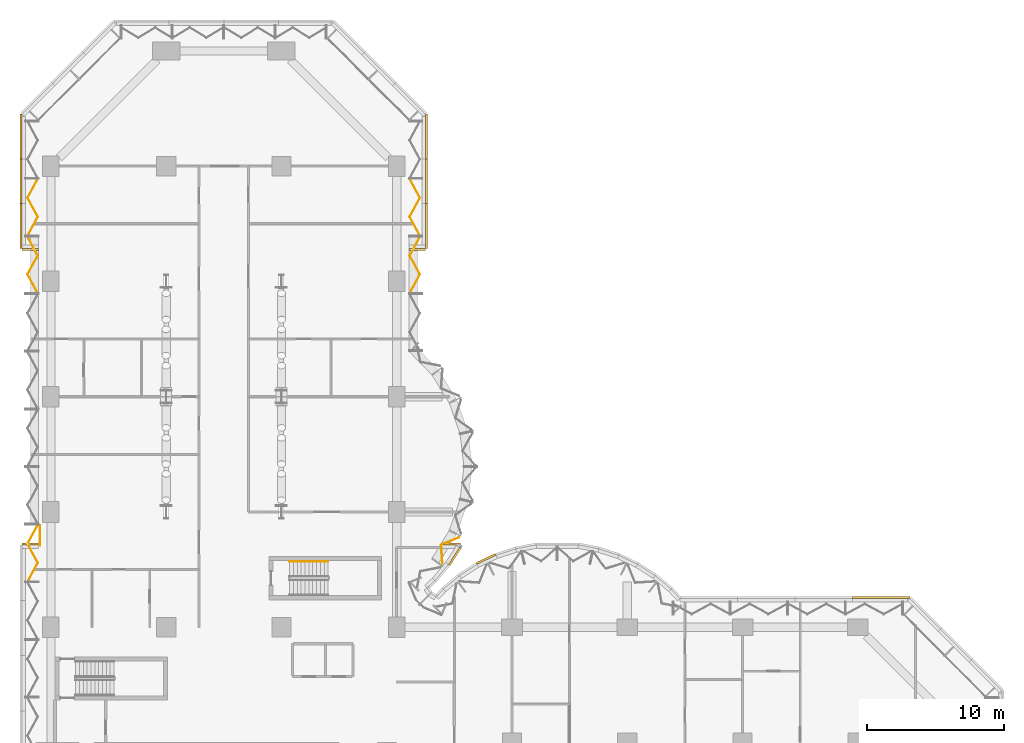
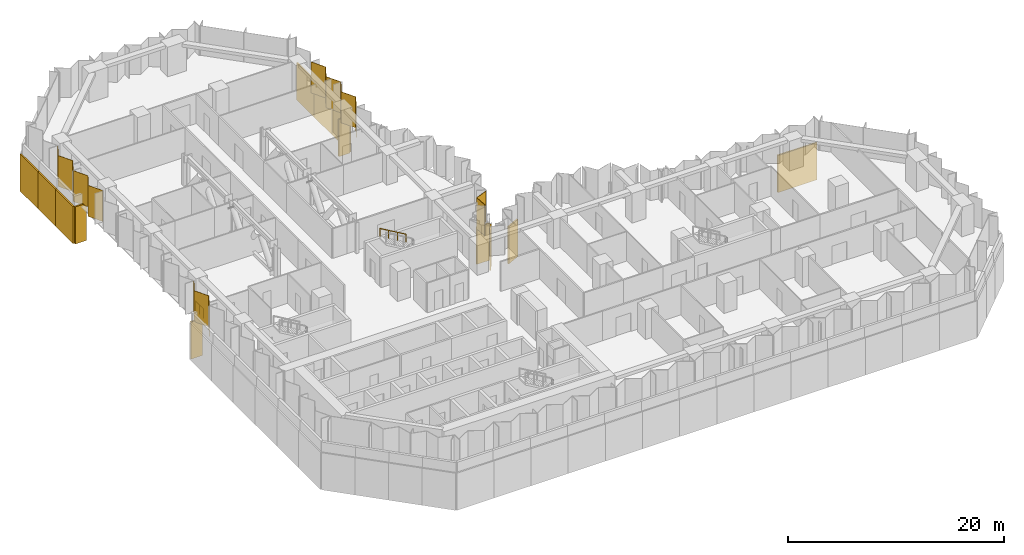
# One storey, part 22 of 24: 19 coverings, 2 railings, 3 elements without a shape of their own.
"""IFC4 building model written with IfcOpenShell, lengths in metres."""

from ifc_helpers import new_model, si_unit, direction, frame, origin, origin_2d, place, context, subcontext, project, spatial, polyline, circle, outline, extrude, material, layer, layer_set, type_object, element, aggregate, save


model = new_model("IFC4")

# Units and contexts
model_context = context("Model", 3, precision=1e-05, world=origin(), true_north=direction((0.0, 1.0)))
body_context = subcontext(model_context, "Body", "Model", "MODEL_VIEW")
ifc_project = project(units=[si_unit("LENGTHUNIT", "METRE"), si_unit("AREAUNIT", "SQUARE_METRE"), si_unit("VOLUMEUNIT", "CUBIC_METRE"), si_unit("PLANEANGLEUNIT", "RADIAN"), si_unit("MASSUNIT", "GRAM", prefix="KILO")], contexts=[model_context])

# Site, building, storey
site_placement = place(None, origin())
site = spatial("IfcSite", under=ifc_project, at=site_placement, CompositionType="ELEMENT")
building_placement = place(site_placement, origin())
building = spatial("IfcBuilding", under=site, at=building_placement, Name="Brevane Broadcast Tower", CompositionType="ELEMENT")
storey_placement = place(building_placement, frame((0.0, 0.0, 36.5)))
storey = spatial("IfcBuildingStorey", under=building, at=storey_placement, Name="L06", CompositionType="ELEMENT", Elevation=36.5)

# Coverings
ifc_material_1 = material(Name="Precast concrete C40/50", Category="concrete")
ifc_layer_1 = layer(ifc_material_1, 0.14990234375)
ifc_layer_set_1 = layer_set([ifc_layer_1], Name="CORNICE FASCIA CLADDING 4200")
covering_type_1 = type_object("IfcCoveringType", Name="CORNICE FASCIA CLADDING 4200", PredefinedType="CLADDING", material=ifc_layer_set_1)
covering_1_placement = place(storey_placement, frame((0.0, 0.0, -4.199951171875)))
element("IfcCovering", 1, at=covering_1_placement, inside=storey, type_object=covering_type_1, Name="Cornice fascia", PredefinedType="CLADDING", context=body_context, shape_type="SweptSolid", body=[
    extrude(outline(polyline([(-2.10009765625, 31.199951171875), (-0.89990234375, 31.199951171875), (-0.89990234375, 31.35009765625), (-2.10009765625, 31.35009765625), (-2.10009765625, 31.199951171875)])), origin(), (0.0, 0.0, 1.0), 4.199951171875),
])
covering_2_placement = place(storey_placement, frame((0.0, 0.0, -4.199951171875)))
element("IfcCovering", 2, at=covering_2_placement, inside=storey, type_object=covering_type_1, Name="Cornice fascia", PredefinedType="CLADDING", context=body_context, shape_type="SweptSolid", body=[
    extrude(outline(polyline([(28.45263671875, 31.199951171875), (29.854736328125, 31.199951171875), (29.854736328125, 31.35009765625), (28.45263671875, 31.35009765625), (28.45263671875, 31.199951171875)])), origin(), (0.0, 0.0, 1.0), 4.199951171875),
])
covering_3_placement = place(storey_placement, frame((0.0, 0.0, -4.199951171875)))
element("IfcCovering", 3, at=covering_3_placement, inside=storey, type_object=covering_type_1, Name="Cornice fascia", PredefinedType="CLADDING", context=body_context, shape_type="SweptSolid", body=[
    extrude(outline(polyline([(29.784912109375, 31.052978515625), (28.959716796875, 29.769775390625), (29.0859375, 29.688720703125), (29.910888671875, 30.9716796875), (29.784912109375, 31.052978515625)])), origin(), (0.0, 0.0, 1.0), 4.199951171875),
])
covering_4_placement = place(storey_placement, frame((0.0, 0.0, -4.199951171875)))
element("IfcCovering", 4, at=covering_4_placement, inside=storey, type_object=covering_type_1, Name="Cornice fascia", PredefinedType="CLADDING", context=body_context, shape_type="SweptSolid", body=[
    extrude(outline(polyline([(31.052978515625, 29.784912109375), (32.43017578125, 30.440673828125), (32.36572265625, 30.576171875), (30.98828125, 29.920166015625), (31.052978515625, 29.784912109375)])), origin(), (0.0, 0.0, 1.0), 4.199951171875),
])
covering_5_placement = place(storey_placement, frame((0.0, 0.0, -4.199951171875)))
element("IfcCovering", 5, at=covering_5_placement, inside=storey, type_object=covering_type_1, Name="Cornice fascia", PredefinedType="CLADDING", context=body_context, shape_type="SweptSolid", body=[
    extrude(outline(polyline([(58.404052734375, 27.300048828125), (62.59716796875, 27.300048828125), (62.59716796875, 27.449951171875), (58.404052734375, 27.449951171875), (58.404052734375, 27.300048828125)])), origin(), (0.0, 0.0, 1.0), 4.199951171875),
])
covering_6_placement = place(storey_placement, frame((0.0, 0.0, -4.199951171875)))
element("IfcCovering", 6, at=covering_6_placement, inside=storey, type_object=covering_type_1, Name="Cornice fascia", PredefinedType="CLADDING", context=body_context, shape_type="SweptSolid", body=[
    extrude(outline(polyline([(27.300048828125, 62.59716796875), (27.300048828125, 59.331298828125), (27.449951171875, 59.331298828125), (27.449951171875, 62.59716796875), (27.300048828125, 62.59716796875)])), origin(), (0.0, 0.0, 1.0), 4.199951171875),
])
covering_7_placement = place(storey_placement, frame((0.0, 0.0, -4.199951171875)))
element("IfcCovering", 7, at=covering_7_placement, inside=storey, type_object=covering_type_1, Name="Cornice fascia", PredefinedType="CLADDING", context=body_context, shape_type="SweptSolid", body=[
    extrude(outline(polyline([(27.300048828125, 59.331298828125), (27.300048828125, 56.065673828125), (27.449951171875, 56.065673828125), (27.449951171875, 59.331298828125), (27.300048828125, 59.331298828125)])), origin(), (0.0, 0.0, 1.0), 4.199951171875),
])
covering_8_placement = place(storey_placement, frame((0.0, 0.0, -4.199951171875)))
element("IfcCovering", 8, at=covering_8_placement, inside=storey, type_object=covering_type_1, Name="Cornice fascia", PredefinedType="CLADDING", context=body_context, shape_type="SweptSolid", body=[
    extrude(outline(polyline([(27.300048828125, 56.065673828125), (27.300048828125, 52.800048828125), (27.449951171875, 52.800048828125), (27.449951171875, 56.065673828125), (27.300048828125, 56.065673828125)])), origin(), (0.0, 0.0, 1.0), 4.199951171875),
])
covering_9_placement = place(storey_placement, frame((0.0, 0.0, -4.199951171875)))
element("IfcCovering", 9, at=covering_9_placement, inside=storey, type_object=covering_type_1, Name="Cornice fascia", PredefinedType="CLADDING", context=body_context, shape_type="SweptSolid", body=[
    extrude(outline(polyline([(27.300048828125, 52.800048828125), (26.10009765625, 52.800048828125), (26.10009765625, 52.64990234375), (27.300048828125, 52.64990234375), (27.300048828125, 52.800048828125)])), origin(), (0.0, 0.0, 1.0), 4.199951171875),
])
covering_10_placement = place(storey_placement, frame((0.0, 0.0, -4.199951171875)))
element("IfcCovering", 10, at=covering_10_placement, inside=storey, type_object=covering_type_1, Name="Cornice fascia", PredefinedType="CLADDING", context=body_context, shape_type="SweptSolid", body=[
    extrude(outline(polyline([(-0.89990234375, 52.800048828125), (-2.10009765625, 52.800048828125), (-2.10009765625, 52.64990234375), (-0.89990234375, 52.64990234375), (-0.89990234375, 52.800048828125)])), origin(), (0.0, 0.0, 1.0), 4.199951171875),
])
covering_11_placement = place(storey_placement, frame((0.0, 0.0, -4.199951171875)))
element("IfcCovering", 11, at=covering_11_placement, inside=storey, type_object=covering_type_1, Name="Cornice fascia", PredefinedType="CLADDING", context=body_context, shape_type="SweptSolid", body=[
    extrude(outline(polyline([(-2.10009765625, 52.800048828125), (-2.10009765625, 56.065673828125), (-2.25, 56.065673828125), (-2.25, 52.800048828125), (-2.10009765625, 52.800048828125)])), origin(), (0.0, 0.0, 1.0), 4.199951171875),
])
covering_12_placement = place(storey_placement, frame((0.0, 0.0, -4.199951171875)))
element("IfcCovering", 12, at=covering_12_placement, inside=storey, type_object=covering_type_1, Name="Cornice fascia", PredefinedType="CLADDING", context=body_context, shape_type="SweptSolid", body=[
    extrude(outline(polyline([(-2.10009765625, 56.065673828125), (-2.10009765625, 59.331298828125), (-2.25, 59.331298828125), (-2.25, 56.065673828125), (-2.10009765625, 56.065673828125)])), origin(), (0.0, 0.0, 1.0), 4.199951171875),
])
covering_13_placement = place(storey_placement, frame((0.0, 0.0, -4.199951171875)))
element("IfcCovering", 13, at=covering_13_placement, inside=storey, type_object=covering_type_1, Name="Cornice fascia", PredefinedType="CLADDING", context=body_context, shape_type="SweptSolid", body=[
    extrude(outline(polyline([(-2.10009765625, 59.331298828125), (-2.10009765625, 62.59716796875), (-2.25, 62.59716796875), (-2.25, 59.331298828125), (-2.10009765625, 59.331298828125)])), origin(), (0.0, 0.0, 1.0), 4.199951171875),
])

# Railing
ifc_material_2 = material(Name="Steel S355", Category="steel")
railing_type_1 = type_object("IfcRailingType", Name="Exit stair handrail", PredefinedType="HANDRAIL", material=ifc_material_2)
railing_1_placement = place(storey_placement, frame((20.199951171875, 30.0, 1.963623046875)))
element("IfcRailing", 14, at=railing_1_placement, inside=storey, type_object=railing_type_1, Name="L06 ST-3 stair handrail 2", PredefinedType="HANDRAIL", context=body_context, shape_type="SweptSolid", body=[
    extrude(circle(Radius=0.02392578125, at=origin_2d()), frame((0.0, 0.0, 0.8759765625), z_axis=(-0.863360870873, 0.0, 0.504586966384), x_axis=(0.0, -1.0, 0.0)), (0.0, 0.0, 1.0), 3.2431640625),
    extrude(circle(Radius=0.02099609375, at=origin_2d()), origin(), (0.0, 0.0, 1.0), 0.851806640625),
    extrude(circle(Radius=0.02099609375, at=origin_2d()), frame((-0.933349609375, 0.0, 0.54541015625)), (0.0, 0.0, 1.0), 0.851806640625),
    extrude(circle(Radius=0.02099609375, at=origin_2d()), frame((-1.86669921875, 0.0, 1.091064453125)), (0.0, 0.0, 1.0), 0.851806640625),
    extrude(circle(Radius=0.02099609375, at=origin_2d()), frame((-2.800048828125, 0.0, 1.636474609375)), (0.0, 0.0, 1.0), 0.851806640625),
])

# Curtain wall, covering
ifc_material_3 = material(Name="Aluminium 6063-T6 bronze anodised", Category="aluminium")
curtain_wall_type = type_object("IfcCurtainWallType", Name="CW-1 curtain wall", PredefinedType="NOTDEFINED", material=ifc_material_3)
curtain_wall_1_placement = place(storey_placement, origin())
curtain_wall_1 = element("IfcCurtainWall", 15, at=curtain_wall_1_placement, inside=storey, type_object=curtain_wall_type, Name="CW-1 typical tilted unit L06 north bow", PredefinedType="NOTDEFINED")
ifc_material_4 = material(Name="Back-painted bronze glass shadow-box", Category="glass")
ifc_layer_2 = layer(ifc_material_4, 0.0400390625)
ifc_layer_set_2 = layer_set([ifc_layer_2], Name="Shadow-box panel 40")
covering_type_2 = type_object("IfcCoveringType", Name="Shadow-box panel 40", PredefinedType="CLADDING", material=ifc_layer_set_2)
covering_14_placement = place(storey_placement, frame((0.0, 0.0, -0.14990234375)))
covering_14 = element("IfcCovering", 16, at=covering_14_placement, type_object=covering_type_2, Name="Shadow-box panel", PredefinedType="CLADDING", context=body_context, shape_type="SweptSolid", body=[
    extrude(outline(polyline([(28.5087890625, 29.849609375), (28.551025390625, 29.816650390625), (28.462890625, 31.198486328125), (29.76171875, 31.729736328125), (29.712890625, 31.753173828125), (28.42138671875, 31.224609375), (28.5087890625, 29.849609375)])), origin(), (0.0, 0.0, 1.0), 3.5),
])
aggregate(curtain_wall_1, [covering_14])

# Curtain wall, coverings
curtain_wall_2_placement = place(storey_placement, origin())
curtain_wall_2 = element("IfcCurtainWall", 17, at=curtain_wall_2_placement, inside=storey, type_object=curtain_wall_type, Name="CW-1 typical tilted unit L06 north arm east face", PredefinedType="NOTDEFINED")
covering_15_placement = place(storey_placement, frame((0.0, 0.0, -0.14990234375)))
covering_15 = element("IfcCovering", 18, at=covering_15_placement, type_object=covering_type_2, Name="Shadow-box panel", PredefinedType="CLADDING", context=body_context, shape_type="SweptSolid", body=[
    extrude(outline(polyline([(26.127197265625, 49.534912109375), (26.172607421875, 49.534912109375), (26.9169921875, 50.91162109375), (26.172607421875, 52.288330078125), (26.9169921875, 53.6650390625), (26.87158203125, 53.6650390625), (26.127197265625, 52.288330078125), (26.87158203125, 50.91162109375), (26.127197265625, 49.534912109375)])), origin(), (0.0, 0.0, 1.0), 3.5),
])
covering_16_placement = place(storey_placement, frame((0.0, 0.0, -0.14990234375)))
covering_16 = element("IfcCovering", 19, at=covering_16_placement, type_object=covering_type_2, Name="Shadow-box panel", PredefinedType="CLADDING", context=body_context, shape_type="SweptSolid", body=[
    extrude(outline(polyline([(26.87158203125, 53.735107421875), (26.9169921875, 53.735107421875), (26.172607421875, 55.11181640625), (26.9169921875, 56.48828125), (26.172607421875, 57.864990234375), (26.127197265625, 57.864990234375), (26.87158203125, 56.48828125), (26.127197265625, 55.11181640625), (26.87158203125, 53.735107421875)])), origin(), (0.0, 0.0, 1.0), 3.5),
])
aggregate(curtain_wall_2, [covering_15, covering_16])

curtain_wall_3_placement = place(storey_placement, origin())
curtain_wall_3 = element("IfcCurtainWall", 20, at=curtain_wall_3_placement, inside=storey, type_object=curtain_wall_type, Name="CW-1 typical tilted unit L06 west face", PredefinedType="NOTDEFINED")
covering_17_placement = place(storey_placement, frame((0.0, 0.0, -0.14990234375)))
covering_17 = element("IfcCovering", 21, at=covering_17_placement, type_object=covering_type_2, Name="Shadow-box panel", PredefinedType="CLADDING", context=body_context, shape_type="SweptSolid", body=[
    extrude(outline(polyline([(-0.92724609375, 57.864990234375), (-0.97265625, 57.864990234375), (-1.717041015625, 56.48828125), (-0.97265625, 55.11181640625), (-1.717041015625, 53.735107421875), (-1.671630859375, 53.735107421875), (-0.92724609375, 55.11181640625), (-1.671630859375, 56.48828125), (-0.92724609375, 57.864990234375)])), origin(), (0.0, 0.0, 1.0), 3.5),
])
covering_18_placement = place(storey_placement, frame((0.0, 0.0, -0.14990234375)))
covering_18 = element("IfcCovering", 22, at=covering_18_placement, type_object=covering_type_2, Name="Shadow-box panel", PredefinedType="CLADDING", context=body_context, shape_type="SweptSolid", body=[
    extrude(outline(polyline([(-1.671630859375, 53.6650390625), (-1.717041015625, 53.6650390625), (-0.97265625, 52.288330078125), (-1.717041015625, 50.91162109375), (-0.97265625, 49.534912109375), (-0.92724609375, 49.534912109375), (-1.671630859375, 50.91162109375), (-0.92724609375, 52.288330078125), (-1.671630859375, 53.6650390625)])), origin(), (0.0, 0.0, 1.0), 3.5),
])
covering_19_placement = place(storey_placement, frame((0.0, 0.0, -0.14990234375)))
covering_19 = element("IfcCovering", 23, at=covering_19_placement, type_object=covering_type_2, Name="Shadow-box panel", PredefinedType="CLADDING", context=body_context, shape_type="SweptSolid", body=[
    extrude(outline(polyline([(-0.92724609375, 32.6650390625), (-0.97265625, 32.6650390625), (-1.717041015625, 31.288330078125), (-0.97265625, 29.91162109375), (-1.717041015625, 28.534912109375), (-1.671630859375, 28.534912109375), (-0.92724609375, 29.91162109375), (-1.671630859375, 31.288330078125), (-0.92724609375, 32.6650390625)])), origin(), (0.0, 0.0, 1.0), 3.5),
])
aggregate(curtain_wall_3, [covering_17, covering_18, covering_19])

# Railing
ifc_material_5 = material(Name="Stainless steel 1.4404", Category="steel")
railing_type_2 = type_object("IfcRailingType", Name="Terrace guard 1100", PredefinedType="GUARDRAIL", material=ifc_material_5)
railing_2_placement = place(storey_placement, frame((-0.800048828125, 31.14990234375, 0.0)))
element("IfcRailing", 24, at=railing_2_placement, inside=storey, type_object=railing_type_2, Name="Podium roof guard", PredefinedType="GUARDRAIL", context=body_context, shape_type="SweptSolid", body=[
    extrude(circle(Radius=0.02392578125, at=origin_2d()), frame((0.0, 0.0, 1.076171875), z_axis=(0.0, 1.0, 0.0), x_axis=(-1.0, 0.0, 0.0)), (0.0, 0.0, 1.0), 1.4501953125),
    extrude(circle(Radius=0.02099609375, at=origin_2d()), origin(), (0.0, 0.0, 1.0), 1.052001953125),
    extrude(circle(Radius=0.02099609375, at=origin_2d()), frame((0.0, 0.72509765625, 0.0)), (0.0, 0.0, 1.0), 1.052001953125),
    extrude(circle(Radius=0.02099609375, at=origin_2d()), frame((0.0, 1.4501953125, 0.0)), (0.0, 0.0, 1.0), 1.052001953125),
])

save(model, "model.ifc")
